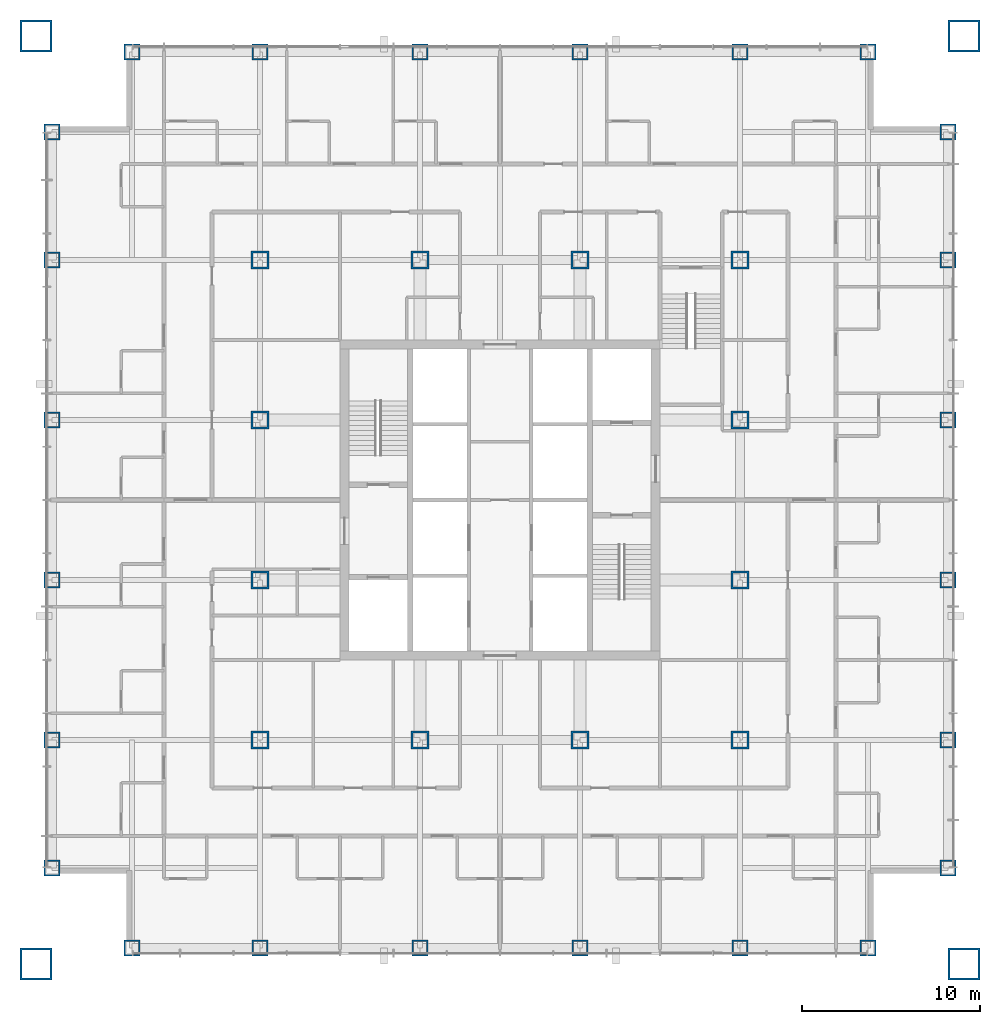
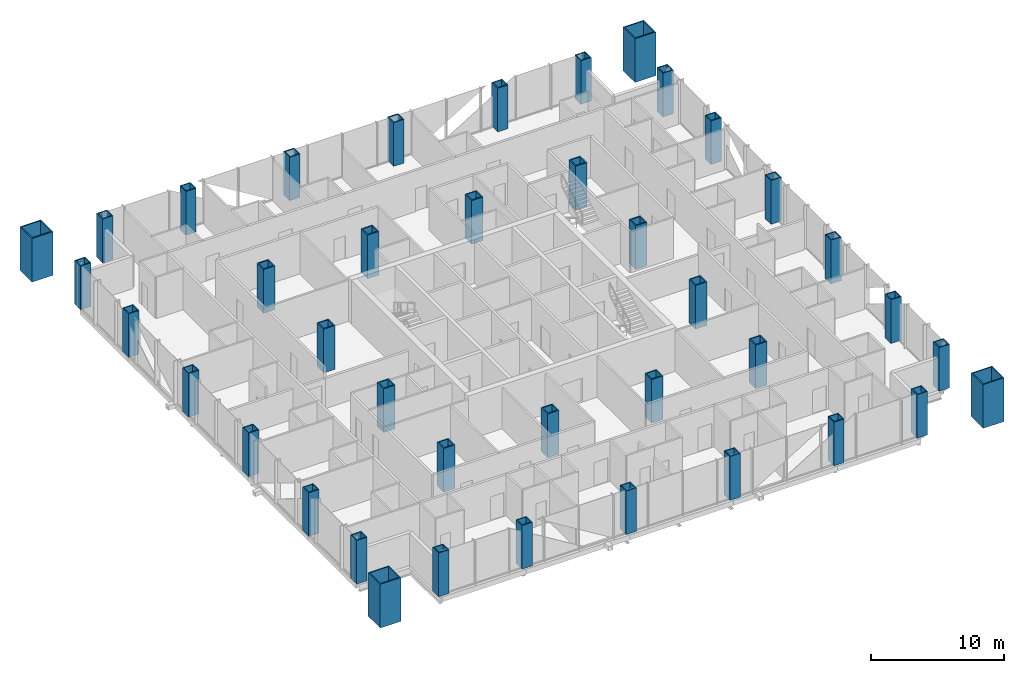
# One storey, part 1 of 17: 40 columns.
"""IFC4 building model written with IfcOpenShell, lengths in metres."""

from ifc_helpers import new_model, si_unit, direction, frame, origin, origin_2d, place, context, subcontext, project, spatial, hollow_rectangle, extrude, material, material_profile, profile_set, type_object, element, save


model = new_model("IFC4")

# Units and contexts
model_context = context("Model", 3, precision=1e-05, world=origin(), true_north=direction((0.0, 1.0)))
body_context = subcontext(model_context, "Body", "Model", "MODEL_VIEW")
ifc_project = project(units=[si_unit("LENGTHUNIT", "METRE"), si_unit("AREAUNIT", "SQUARE_METRE"), si_unit("VOLUMEUNIT", "CUBIC_METRE"), si_unit("PLANEANGLEUNIT", "RADIAN"), si_unit("MASSUNIT", "GRAM", prefix="KILO")], contexts=[model_context])

# Site, building, storey
site_placement = place(None, origin())
site = spatial("IfcSite", under=ifc_project, at=site_placement, CompositionType="ELEMENT")
building_placement = place(site_placement, origin())
building = spatial("IfcBuilding", under=site, at=building_placement, Name="Malebo Sky Hospital", CompositionType="ELEMENT")
storey_placement = place(building_placement, frame((0.0, 0.0, 51.0)))
storey = spatial("IfcBuildingStorey", under=building, at=storey_placement, Name="L11", CompositionType="ELEMENT", Elevation=51.0)

# Columns
ifc_material = material(Name="Steel S460", Category="steel")
ifc_material_profile_1 = material_profile(ifc_material, hollow_rectangle(XDim=1.0, YDim=1.0, WallThickness=0.10009765625, at=origin_2d()), Name="BOX 1000x1000x100")
ifc_profile_set_1 = profile_set([ifc_material_profile_1], Name="Steel S460")
column_type_1 = type_object("IfcColumnType", Name="INNER COLUMN BOX 1000x1000x100", PredefinedType="COLUMN", material=ifc_profile_set_1)
for number, where, z_axis, x_axis, name in (
    (1, (46.5, 48.5, 0.0), (0.0, 0.0, 1.0), (1.0, 0.0, 0.0), "Column IC9 L11"),
    (2, (73.5, 48.5, 0.0), (0.0, 0.0, 1.0), (1.0, 0.0, 0.0), "Column IC9 L11"),
    (3, (73.5, 75.5, 0.0), (0.0, 0.0, 1.0), (1.0, 0.0, 0.0), "Column IC9 L11"),
    (4, (46.5, 75.5, 0.0), (0.0, 0.0, 1.0), (1.0, 0.0, 0.0), "Column IC9 L11"),
    (5, (55.5, 48.5, 0.0), (0.0, 0.0, 1.0), (1.0, 0.0, 0.0), "Column IC9 L11"),
    (6, (64.5, 48.5, 0.0), (0.0, 0.0, 1.0), (1.0, 0.0, 0.0), "Column IC9 L11"),
    (7, (55.5, 75.5, 0.0), (0.0, 0.0, 1.0), (1.0, 0.0, 0.0), "Column IC9 L11"),
    (8, (64.5, 75.5, 0.0), (0.0, 0.0, 1.0), (1.0, 0.0, 0.0), "Column IC9 L11"),
    (9, (46.5, 57.5, 0.0), (0.0, 0.0, 1.0), (1.0, 0.0, 0.0), "Column IC9 L11"),
    (10, (46.5, 66.5, 0.0), (0.0, 0.0, 1.0), (1.0, 0.0, 0.0), "Column IC9 L11"),
    (11, (73.5, 57.5, 0.0), (0.0, 0.0, 1.0), (1.0, 0.0, 0.0), "Column IC9 L11"),
    (12, (73.5, 66.5, 0.0), (0.0, 0.0, 1.0), (1.0, 0.0, 0.0), "Column IC9 L11"),
):
    element("IfcColumn", number, at=place(storey_placement, frame(where, z_axis=z_axis, x_axis=x_axis)), inside=storey, type_object=column_type_1, Name=name, PredefinedType="COLUMN", context=body_context, shape_type="SweptSolid", body=[
        extrude(hollow_rectangle(XDim=1.0, YDim=1.0, WallThickness=0.10009765625, at=origin_2d()), origin(), (0.0, 0.0, 1.0), 4.0),
    ])
ifc_material_profile_2 = material_profile(ifc_material, hollow_rectangle(XDim=1.800048828125, YDim=1.800048828125, WallThickness=0.10009765625, at=origin_2d()), Name="BOX 1800x1800x100")
ifc_profile_set_2 = profile_set([ifc_material_profile_2], Name="Steel S460")
column_type_2 = type_object("IfcColumnType", Name="MEGA COLUMN BOX 1800x1800x100", PredefinedType="COLUMN", material=ifc_profile_set_2)
for number, where, z_axis, x_axis, name in (
    (13, (33.89990234375, 35.89990234375, 0.0), (0.0, 0.0, 1.0), (1.0, 0.0, 0.0), "Mega column SW L11"),
    (14, (86.10009765625, 35.89990234375, 0.0), (0.0, 0.0, 1.0), (1.0, 0.0, 0.0), "Mega column SE L11"),
    (15, (86.10009765625, 88.10009765625, 0.0), (0.0, 0.0, 1.0), (1.0, 0.0, 0.0), "Mega column NE L11"),
    (16, (33.89990234375, 88.10009765625, 0.0), (0.0, 0.0, 1.0), (1.0, 0.0, 0.0), "Mega column NW L11"),
):
    element("IfcColumn", number, at=place(storey_placement, frame(where, z_axis=z_axis, x_axis=x_axis)), inside=storey, type_object=column_type_2, Name=name, PredefinedType="COLUMN", context=body_context, shape_type="SweptSolid", body=[
        extrude(hollow_rectangle(XDim=1.800048828125, YDim=1.800048828125, WallThickness=0.10009765625, at=origin_2d()), origin(), (0.0, 0.0, 1.0), 4.0),
    ])
ifc_material_profile_3 = material_profile(ifc_material, hollow_rectangle(XDim=0.89990234375, YDim=0.89990234375, WallThickness=0.080078125, at=origin_2d()), Name="BOX 900x900x80")
ifc_profile_set_3 = profile_set([ifc_material_profile_3], Name="Steel S460")
column_type_3 = type_object("IfcColumnType", Name="PERIMETER COLUMN BOX 900x900x80", PredefinedType="COLUMN", material=ifc_profile_set_3)
for number, where, z_axis, x_axis, name in (
    (17, (39.300048828125, 36.800048828125, 0.0), (0.0, 0.0, 1.0), (1.0, 0.0, 0.0), "Column PC8 L11"),
    (18, (39.300048828125, 87.199951171875, 0.0), (0.0, 0.0, 1.0), (1.0, 0.0, 0.0), "Column PC8 L11"),
    (19, (34.800048828125, 41.300048828125, 0.0), (0.0, 0.0, 1.0), (1.0, 0.0, 0.0), "Column PC8 L11"),
    (20, (85.199951171875, 41.300048828125, 0.0), (0.0, 0.0, 1.0), (1.0, 0.0, 0.0), "Column PC8 L11"),
    (21, (46.5, 36.800048828125, 0.0), (0.0, 0.0, 1.0), (1.0, 0.0, 0.0), "Column PC8 L11"),
    (22, (46.5, 87.199951171875, 0.0), (0.0, 0.0, 1.0), (1.0, 0.0, 0.0), "Column PC8 L11"),
    (23, (34.800048828125, 48.5, 0.0), (0.0, 0.0, 1.0), (1.0, 0.0, 0.0), "Column PC8 L11"),
    (24, (85.199951171875, 48.5, 0.0), (0.0, 0.0, 1.0), (1.0, 0.0, 0.0), "Column PC8 L11"),
    (25, (55.5, 36.800048828125, 0.0), (0.0, 0.0, 1.0), (1.0, 0.0, 0.0), "Column PC8 L11"),
    (26, (55.5, 87.199951171875, 0.0), (0.0, 0.0, 1.0), (1.0, 0.0, 0.0), "Column PC8 L11"),
    (27, (34.800048828125, 57.5, 0.0), (0.0, 0.0, 1.0), (1.0, 0.0, 0.0), "Column PC8 L11"),
    (28, (85.199951171875, 57.5, 0.0), (0.0, 0.0, 1.0), (1.0, 0.0, 0.0), "Column PC8 L11"),
    (29, (64.5, 36.800048828125, 0.0), (0.0, 0.0, 1.0), (1.0, 0.0, 0.0), "Column PC8 L11"),
    (30, (64.5, 87.199951171875, 0.0), (0.0, 0.0, 1.0), (1.0, 0.0, 0.0), "Column PC8 L11"),
    (31, (34.800048828125, 66.5, 0.0), (0.0, 0.0, 1.0), (1.0, 0.0, 0.0), "Column PC8 L11"),
    (32, (85.199951171875, 66.5, 0.0), (0.0, 0.0, 1.0), (1.0, 0.0, 0.0), "Column PC8 L11"),
    (33, (73.5, 36.800048828125, 0.0), (0.0, 0.0, 1.0), (1.0, 0.0, 0.0), "Column PC8 L11"),
    (34, (73.5, 87.199951171875, 0.0), (0.0, 0.0, 1.0), (1.0, 0.0, 0.0), "Column PC8 L11"),
    (35, (34.800048828125, 75.5, 0.0), (0.0, 0.0, 1.0), (1.0, 0.0, 0.0), "Column PC8 L11"),
    (36, (85.199951171875, 75.5, 0.0), (0.0, 0.0, 1.0), (1.0, 0.0, 0.0), "Column PC8 L11"),
    (37, (80.699951171875, 36.800048828125, 0.0), (0.0, 0.0, 1.0), (1.0, 0.0, 0.0), "Column PC8 L11"),
    (38, (80.699951171875, 87.199951171875, 0.0), (0.0, 0.0, 1.0), (1.0, 0.0, 0.0), "Column PC8 L11"),
    (39, (34.800048828125, 82.699951171875, 0.0), (0.0, 0.0, 1.0), (1.0, 0.0, 0.0), "Column PC8 L11"),
    (40, (85.199951171875, 82.699951171875, 0.0), (0.0, 0.0, 1.0), (1.0, 0.0, 0.0), "Column PC8 L11"),
):
    element("IfcColumn", number, at=place(storey_placement, frame(where, z_axis=z_axis, x_axis=x_axis)), inside=storey, type_object=column_type_3, Name=name, PredefinedType="COLUMN", context=body_context, shape_type="SweptSolid", body=[
        extrude(hollow_rectangle(XDim=0.89990234375, YDim=0.89990234375, WallThickness=0.080078125, at=origin_2d()), origin(), (0.0, 0.0, 1.0), 4.0),
    ])

save(model, "model.ifc")
